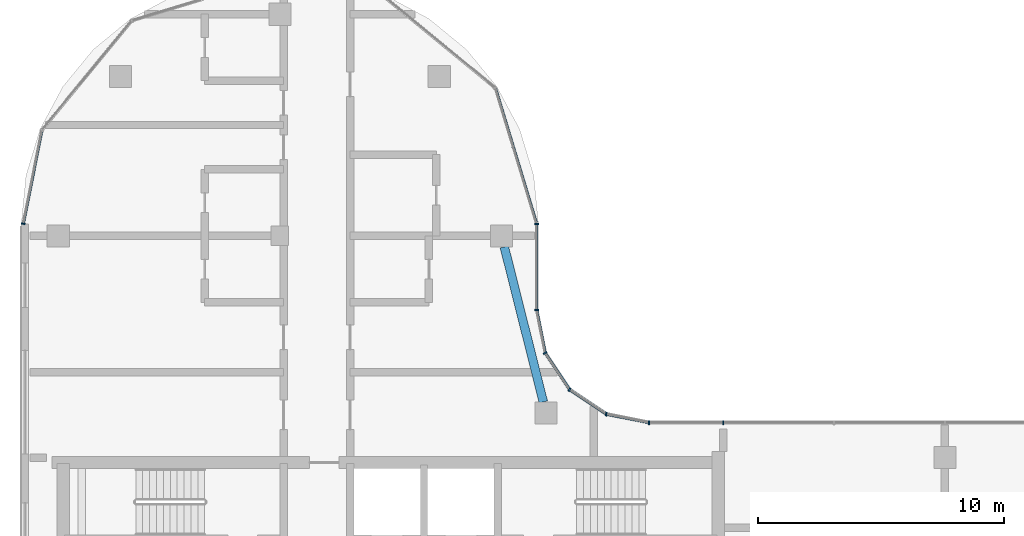
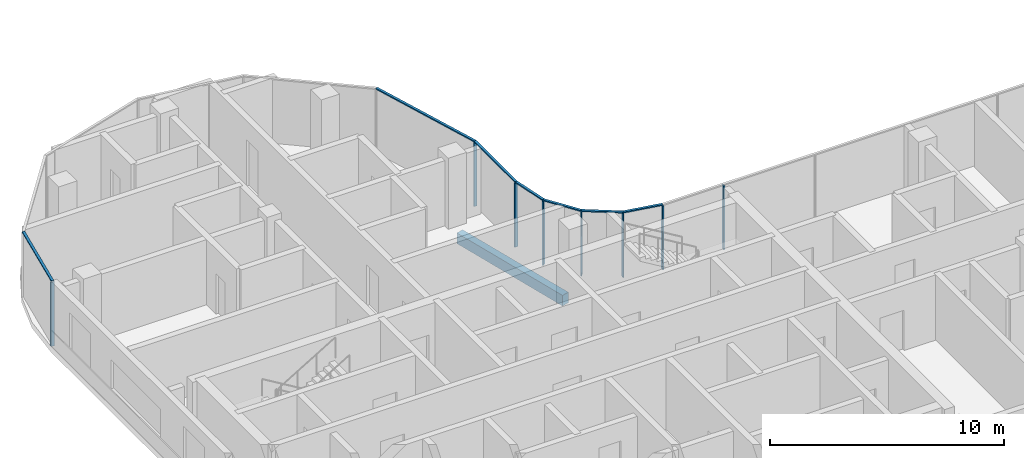
# One storey, part 2 of 19: 15 members, 1 beam, 4 elements without a shape of their own.
"""IFC4 building model written with IfcOpenShell, lengths in metres."""

from ifc_helpers import new_model, si_unit, direction, frame, origin, origin_2d, place, context, subcontext, project, spatial, rectangle, extrude, material, material_profile, profile_set, type_object, element, aggregate, save


model = new_model("IFC4")

# Units and contexts
model_context = context("Model", 3, precision=1e-05, world=origin(), true_north=direction((0.0, 1.0)))
body_context = subcontext(model_context, "Body", "Model", "MODEL_VIEW")
ifc_project = project(units=[si_unit("LENGTHUNIT", "METRE"), si_unit("AREAUNIT", "SQUARE_METRE"), si_unit("VOLUMEUNIT", "CUBIC_METRE"), si_unit("PLANEANGLEUNIT", "RADIAN"), si_unit("MASSUNIT", "GRAM", prefix="KILO")], contexts=[model_context])

# Site, building, storey
site_placement = place(None, origin())
site = spatial("IfcSite", under=ifc_project, at=site_placement, CompositionType="ELEMENT")
building_placement = place(site_placement, origin())
building = spatial("IfcBuilding", under=site, at=building_placement, Name="Ogive Portal Towers", CompositionType="ELEMENT")
storey_placement = place(building_placement, frame((0.0, 0.0, 229.10009765625)))
storey = spatial("IfcBuildingStorey", under=building, at=storey_placement, Name="L57", CompositionType="ELEMENT", Elevation=229.10009765625)

# Curtain wall, members
ifc_material_1 = material(Name="Glass, clear low-iron insulated glazing", Category="glass")
curtain_wall_type = type_object("IfcCurtainWallType", Name="CW FRONT RIBBON 4500", PredefinedType="NOTDEFINED", material=ifc_material_1)
curtain_wall_1_placement = place(storey_placement, origin())
curtain_wall_1 = element("IfcCurtainWall", 1, at=curtain_wall_1_placement, inside=storey, type_object=curtain_wall_type, Name="A:L57:f12:cw0", PredefinedType="NOTDEFINED")
ifc_material_2 = material(Name="Aluminium 6063 anodised", Category="aluminium")
ifc_material_profile_1 = material_profile(ifc_material_2, rectangle(XDim=0.159912109375, YDim=0.06005859375, at=origin_2d()), Name="AL 60x160")
ifc_profile_set_1 = profile_set([ifc_material_profile_1], Name="Aluminium 6063 anodised")
member_type_1 = type_object("IfcMemberType", Name="CW MULLION 60x160", PredefinedType="MULLION", material=ifc_profile_set_1)
member_1_placement = place(storey_placement, frame((58.5, 40.919921875, 0.0), z_axis=(0.0, 0.0, 1.0), x_axis=(0.0, -1.0, 0.0)))
member_1 = element("IfcMember", 2, at=member_1_placement, type_object=member_type_1, Name="mullion", PredefinedType="MULLION", context=body_context, shape_type="SweptSolid", body=[
    extrude(rectangle(XDim=0.159912109375, YDim=0.06005859375, at=origin_2d()), origin(), (0.0, 0.0, 1.0), 3.33984375),
])
member_2_placement = place(storey_placement, frame((55.4921875, 40.919921875, 0.0), z_axis=(0.0, 0.0, 1.0), x_axis=(0.0, -1.0, 0.0)))
member_2 = element("IfcMember", 3, at=member_2_placement, type_object=member_type_1, Name="mullion", PredefinedType="MULLION", context=body_context, shape_type="SweptSolid", body=[
    extrude(rectangle(XDim=0.159912109375, YDim=0.06005859375, at=origin_2d()), origin(), (0.0, 0.0, 1.0), 3.33984375),
])
aggregate(curtain_wall_1, [member_1, member_2])

curtain_wall_2_placement = place(storey_placement, origin())
curtain_wall_2 = element("IfcCurtainWall", 4, at=curtain_wall_2_placement, inside=storey, type_object=curtain_wall_type, Name="A:L57:f17:cw0", PredefinedType="NOTDEFINED")
member_3_placement = place(storey_placement, frame((50.919921875, 45.4921875, 0.0), z_axis=(0.0, 0.0, 1.0), x_axis=(-1.0, 0.0, 0.0)))
member_3 = element("IfcMember", 5, at=member_3_placement, type_object=member_type_1, Name="mullion", PredefinedType="MULLION", context=body_context, shape_type="SweptSolid", body=[
    extrude(rectangle(XDim=0.159912109375, YDim=0.06005859375, at=origin_2d()), origin(), (0.0, 0.0, 1.0), 3.33984375),
])
member_4_placement = place(storey_placement, frame((50.919921875, 48.988037109375, 0.0), z_axis=(0.0, 0.0, 1.0), x_axis=(-1.0, 0.0, 0.0)))
member_4 = element("IfcMember", 6, at=member_4_placement, type_object=member_type_1, Name="mullion", PredefinedType="MULLION", context=body_context, shape_type="SweptSolid", body=[
    extrude(rectangle(XDim=0.159912109375, YDim=0.06005859375, at=origin_2d()), origin(), (0.0, 0.0, 1.0), 3.33984375),
])

curtain_wall_3_placement = place(storey_placement, origin())
curtain_wall_3 = element("IfcCurtainWall", 7, at=curtain_wall_3_placement, inside=storey, type_object=curtain_wall_type, Name="A:L57:f13:cwa", PredefinedType="NOTDEFINED")
member_5_placement = place(storey_placement, frame((53.746826171875, 41.26708984375, 0.0), z_axis=(0.0, 0.0, 1.0), x_axis=(-0.195090322016, -0.980785280403, 0.0)))
member_5 = element("IfcMember", 8, at=member_5_placement, type_object=member_type_1, Name="mullion", PredefinedType="MULLION", context=body_context, shape_type="SweptSolid", body=[
    extrude(rectangle(XDim=0.159912109375, YDim=0.06005859375, at=origin_2d()), origin(), (0.0, 0.0, 1.0), 3.33984375),
])
member_6_placement = place(storey_placement, frame((52.26025390625, 42.26025390625, 0.0), z_axis=(0.0, 0.0, 1.0), x_axis=(-0.55557023302, -0.831469612303, 0.0)))
member_6 = element("IfcMember", 9, at=member_6_placement, type_object=member_type_1, Name="mullion", PredefinedType="MULLION", context=body_context, shape_type="SweptSolid", body=[
    extrude(rectangle(XDim=0.159912109375, YDim=0.06005859375, at=origin_2d()), origin(), (0.0, 0.0, 1.0), 3.33984375),
])
member_7_placement = place(storey_placement, frame((51.26708984375, 43.746826171875, 0.0), z_axis=(0.0, 0.0, 1.0), x_axis=(-0.831469612303, -0.55557023302, 0.0)))
member_7 = element("IfcMember", 10, at=member_7_placement, type_object=member_type_1, Name="mullion", PredefinedType="MULLION", context=body_context, shape_type="SweptSolid", body=[
    extrude(rectangle(XDim=0.159912109375, YDim=0.06005859375, at=origin_2d()), origin(), (0.0, 0.0, 1.0), 3.33984375),
])

# Curtain wall, member
curtain_wall_4_placement = place(storey_placement, origin())
curtain_wall_4 = element("IfcCurtainWall", 11, at=curtain_wall_4_placement, inside=storey, type_object=curtain_wall_type, Name="A:L57:f18:cwa", PredefinedType="NOTDEFINED")
member_8_placement = place(storey_placement, frame((30.080078125, 48.9921875, 0.0), z_axis=(0.0, 0.0, 1.0), x_axis=(0.980785280403, -0.195090322016, 0.0)))
member_8 = element("IfcMember", 12, at=member_8_placement, type_object=member_type_1, Name="mullion", PredefinedType="MULLION", context=body_context, shape_type="SweptSolid", body=[
    extrude(rectangle(XDim=0.159912109375, YDim=0.06005859375, at=origin_2d()), origin(), (0.0, 0.0, 1.0), 3.33984375),
])

# Member
ifc_material_profile_2 = material_profile(ifc_material_2, rectangle(XDim=0.1201171875, YDim=0.06005859375, at=origin_2d()), Name="AL 120x60")
ifc_profile_set_2 = profile_set([ifc_material_profile_2], Name="Aluminium 6063 anodised")
member_type_2 = type_object("IfcMemberType", Name="CW TRANSOM 60x120", PredefinedType="USERDEFINED", material=ifc_profile_set_2)
member_9_placement = place(storey_placement, frame((50.919921875, 45.4921875, 3.369873046875), z_axis=(0.0, 1.0, 0.0), x_axis=(-1.0, 0.0, 0.0)))
member_9 = element("IfcMember", 13, at=member_9_placement, type_object=member_type_2, Name="transom", ObjectType="TRANSOM", PredefinedType="USERDEFINED", context=body_context, shape_type="SweptSolid", body=[
    extrude(rectangle(XDim=0.1201171875, YDim=0.06005859375, at=origin_2d()), origin(), (0.0, 0.0, 1.0), 3.495849609375),
])

aggregate(curtain_wall_2, [member_9, member_3, member_4])

member_10_placement = place(storey_placement, frame((55.4921875, 40.919921875, 3.369873046875), z_axis=(-0.980785923915, 0.195087086838, 0.0), x_axis=(-0.195087086838, -0.980785923915, 0.0)))
member_10 = element("IfcMember", 14, at=member_10_placement, type_object=member_type_2, Name="transom", ObjectType="TRANSOM", PredefinedType="USERDEFINED", context=body_context, shape_type="SweptSolid", body=[
    extrude(rectangle(XDim=0.1201171875, YDim=0.06005859375, at=origin_2d()), origin(), (0.0, 0.0, 1.0), 1.779541015625),
])

member_11_placement = place(storey_placement, frame((53.746826171875, 41.26708984375, 3.369873046875), z_axis=(-0.831503657605, 0.555519277244, 0.0), x_axis=(-0.555519277244, -0.831503657605, 0.0)))
member_11 = element("IfcMember", 15, at=member_11_placement, type_object=member_type_2, Name="transom", ObjectType="TRANSOM", PredefinedType="USERDEFINED", context=body_context, shape_type="SweptSolid", body=[
    extrude(rectangle(XDim=0.1201171875, YDim=0.06005859375, at=origin_2d()), origin(), (0.0, 0.0, 1.0), 1.787841796875),
])

member_12_placement = place(storey_placement, frame((52.26025390625, 42.26025390625, 3.369873046875), z_axis=(-0.555519277244, 0.831503657605, 0.0), x_axis=(-0.831503657605, -0.555519277244, 0.0)))
member_12 = element("IfcMember", 16, at=member_12_placement, type_object=member_type_2, Name="transom", ObjectType="TRANSOM", PredefinedType="USERDEFINED", context=body_context, shape_type="SweptSolid", body=[
    extrude(rectangle(XDim=0.1201171875, YDim=0.06005859375, at=origin_2d()), origin(), (0.0, 0.0, 1.0), 1.787841796875),
])

member_13_placement = place(storey_placement, frame((51.26708984375, 43.746826171875, 3.369873046875), z_axis=(-0.195087086838, 0.980785923915, 0.0), x_axis=(-0.980785923915, -0.195087086838, 0.0)))
member_13 = element("IfcMember", 17, at=member_13_placement, type_object=member_type_2, Name="transom", ObjectType="TRANSOM", PredefinedType="USERDEFINED", context=body_context, shape_type="SweptSolid", body=[
    extrude(rectangle(XDim=0.1201171875, YDim=0.06005859375, at=origin_2d()), origin(), (0.0, 0.0, 1.0), 1.779541015625),
])

aggregate(curtain_wall_3, [member_10, member_11, member_12, member_13, member_5, member_6, member_7])

member_14_placement = place(storey_placement, frame((50.919921875, 48.988037109375, 3.369873046875), z_axis=(-0.290277499028, 0.956942513194, 0.0), x_axis=(-0.956942513194, -0.290277499028, 0.0)))
member_14 = element("IfcMember", 18, at=member_14_placement, type_object=member_type_2, Name="transom", ObjectType="TRANSOM", PredefinedType="USERDEFINED", context=body_context, shape_type="SweptSolid", body=[
    extrude(rectangle(XDim=0.1201171875, YDim=0.06005859375, at=origin_2d()), origin(), (0.0, 0.0, 1.0), 5.769775390625),
])

member_15_placement = place(storey_placement, frame((30.835693359375, 52.79150390625, 3.369873046875), z_axis=(-0.195061569373, -0.980790999221, 0.0), x_axis=(0.980790999221, -0.195061569373, 0.0)))
member_15 = element("IfcMember", 19, at=member_15_placement, type_object=member_type_2, Name="transom", ObjectType="TRANSOM", PredefinedType="USERDEFINED", context=body_context, shape_type="SweptSolid", body=[
    extrude(rectangle(XDim=0.1201171875, YDim=0.06005859375, at=origin_2d()), origin(), (0.0, 0.0, 1.0), 3.873779296875),
])

aggregate(curtain_wall_4, [member_14, member_15, member_8])

# Beam
ifc_material_3 = material(Name="Concrete C50/60", Category="concrete")
ifc_material_profile_3 = material_profile(ifc_material_3, rectangle(XDim=0.35009765625, YDim=0.550048828125, at=origin_2d()), Name="RC 350x550")
ifc_profile_set_3 = profile_set([ifc_material_profile_3], Name="Concrete C50/60")
beam_type = type_object("IfcBeamType", Name="SPANDREL BEAM RC 350x550", PredefinedType="BEAM", material=ifc_profile_set_3)
beam_placement = place(storey_placement, frame((49.61328125, 48.050048828125, -0.5751953125), z_axis=(0.244129438789, -0.969742655098, 0.0), x_axis=(0.969742655098, 0.244129438789, 0.0)))
element("IfcBeam", 20, at=beam_placement, inside=storey, type_object=beam_type, Name="Spandrel beam L57", PredefinedType="BEAM", context=body_context, shape_type="SweptSolid", body=[
    extrude(rectangle(XDim=0.35009765625, YDim=0.550048828125, at=origin_2d()), origin(), (0.0, 0.0, 1.0), 6.486328125),
])

save(model, "model.ifc")
